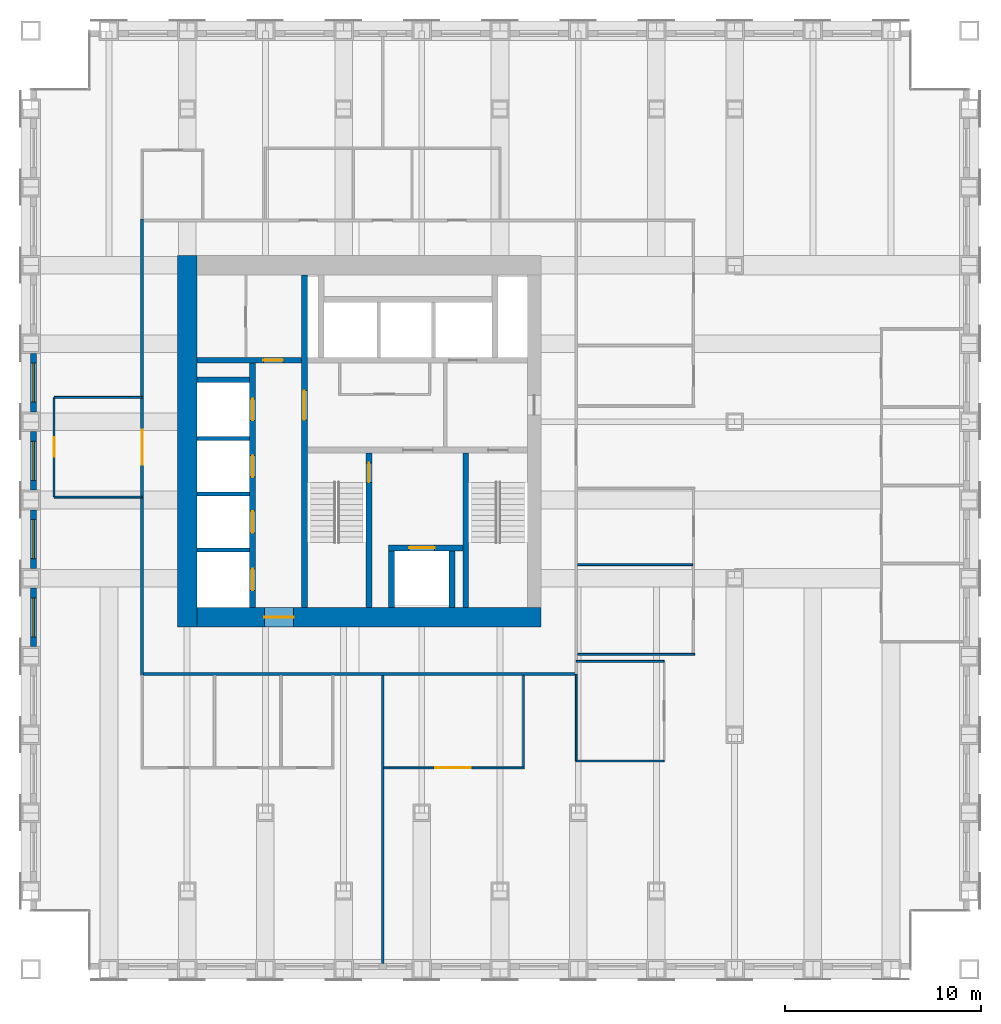
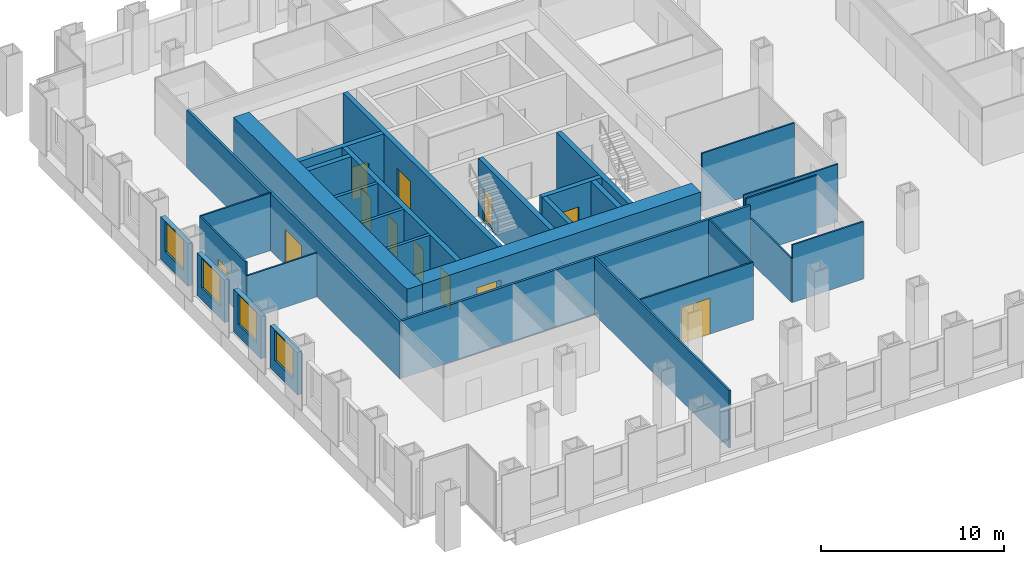
# One storey, part 11 of 16: 31 walls, 12 doors, 4 windows, 16 openings.
"""IFC4 building model written with IfcOpenShell, lengths in metres."""

from ifc_helpers import new_model, si_unit, direction, frame, frame_2d, origin, place, context, subcontext, project, spatial, rectangle, extrude, material, layer, layer_set, type_object, element, fill, save


model = new_model("IFC4")

# Units and contexts
model_context = context("Model", 3, precision=1e-05, world=origin(), true_north=direction((0.0, 1.0)))
body_context = subcontext(model_context, "Body", "Model", "MODEL_VIEW")
ifc_project = project(units=[si_unit("LENGTHUNIT", "METRE"), si_unit("AREAUNIT", "SQUARE_METRE"), si_unit("VOLUMEUNIT", "CUBIC_METRE"), si_unit("PLANEANGLEUNIT", "RADIAN"), si_unit("MASSUNIT", "GRAM", prefix="KILO")], contexts=[model_context])

# Site, building, storey
site_placement = place(None, origin())
site = spatial("IfcSite", under=ifc_project, at=site_placement, CompositionType="ELEMENT")
building_placement = place(site_placement, origin())
building = spatial("IfcBuilding", under=site, at=building_placement, Name="Rimbunsela Tower", CompositionType="ELEMENT")
storey_placement = place(building_placement, frame((0.0, 0.0, 81.39990234375)))
storey = spatial("IfcBuildingStorey", under=building, at=storey_placement, Name="L19", CompositionType="ELEMENT", Elevation=81.39990234375)

# Wall, opening, door
ifc_material_1 = material(Name="Concrete fc' 80 MPa", Category="concrete")
ifc_layer_1 = layer(ifc_material_1, 0.300048828125)
ifc_layer_set_1 = layer_set([ifc_layer_1], Name="Core internal wall 300")
wall_type_1 = type_object("IfcWallType", Name="Core internal wall 300", PredefinedType="SHEAR", material=ifc_layer_set_1)
wall_1_placement = place(storey_placement, frame((24.0, 18.5, -0.14990234375), z_axis=(0.0, 0.0, 1.0), x_axis=(0.0, 1.0, 0.0)))
wall_1 = element("IfcWall", 1, at=wall_1_placement, inside=storey, type_object=wall_type_1, Name="Core wall at stair A", PredefinedType="SHEAR", context=body_context, shape_type="SweptSolid", body=[
    extrude(rectangle(XDim=17.0, YDim=0.300048828125, at=frame_2d((8.5, 0.0))), origin(), (0.0, 0.0, 1.0), 4.0),
])
opening_1_placement = place(wall_1_placement, frame((9.60009765625, 0.0, 0.14990234375)))
opening_1 = element("IfcOpeningElement", 2, at=opening_1_placement, cuts=wall_1, Name="Opening D03", PredefinedType="OPENING", context=body_context, shape_type="SweptSolid", body=[
    extrude(rectangle(XDim=1.5, YDim=2.39990234375, at=frame_2d((0.75, 1.199951171875))), frame((0.0, 0.159912109375, 0.0), z_axis=(0.0, -1.0, 0.0), x_axis=(1.0, 0.0, 0.0)), (0.0, 0.0, 1.0), 0.320068359375),
])
ifc_material_2 = material(Name="Steel door, fire rated", Category="steel")
door_type_1 = type_object("IfcDoorType", Name="Core lobby door 1500", OperationType="DOUBLE_DOOR_DOUBLE_SWING", PredefinedType="DOOR", material=ifc_material_2)
door_1_placement = place(opening_1_placement, origin())
door_1 = element("IfcDoor", 3, at=door_1_placement, inside=storey, type_object=door_type_1, Name="West lobby door", OperationType="DOUBLE_DOOR_DOUBLE_SWING", OverallHeight=2.39990234375, OverallWidth=1.5, PredefinedType="DOOR", context=body_context, shape_type="SweptSolid", body=[
    extrude(rectangle(XDim=1.5, YDim=2.39990234375, at=frame_2d((0.75, 1.199951171875))), frame((0.0, 0.02490234375, 0.0), z_axis=(0.0, -1.0, 0.0), x_axis=(1.0, 0.0, 0.0)), (0.0, 0.0, 1.0), 0.050048828125),
])
fill(opening_1, door_1)

wall_2_placement = place(storey_placement, frame((27.300048828125, 18.5, -0.14990234375), z_axis=(0.0, 0.0, 1.0), x_axis=(0.0, 1.0, 0.0)))
wall_2 = element("IfcWall", 4, at=wall_2_placement, inside=storey, type_object=wall_type_1, Name="Stair A enclosure", PredefinedType="SHEAR", context=body_context, shape_type="SweptSolid", body=[
    extrude(rectangle(XDim=7.89990234375, YDim=0.300048828125, at=frame_2d((3.949951171875, 0.0))), origin(), (0.0, 0.0, 1.0), 4.0),
])
opening_2_placement = place(wall_2_placement, frame((6.39990234375, 0.0, 0.14990234375)))
opening_2 = element("IfcOpeningElement", 5, at=opening_2_placement, cuts=wall_2, Name="Opening D01", PredefinedType="OPENING", context=body_context, shape_type="SweptSolid", body=[
    extrude(rectangle(XDim=1.0, YDim=2.199951171875, at=frame_2d((0.5, 1.10009765625))), frame((0.0, 0.159912109375, 0.0), z_axis=(0.0, -1.0, 0.0), x_axis=(1.0, 0.0, 0.0)), (0.0, 0.0, 1.0), 0.320068359375),
])
ifc_material_3 = material(Name="Steel door, fire rated", Category="steel")
door_type_2 = type_object("IfcDoorType", Name="Stair door 1000", OperationType="SINGLE_SWING_RIGHT", PredefinedType="DOOR", material=ifc_material_3)
door_2_placement = place(opening_2_placement, origin())
door_2 = element("IfcDoor", 6, at=door_2_placement, inside=storey, type_object=door_type_2, Name="Stair A door", OperationType="SINGLE_SWING_RIGHT", OverallHeight=2.199951171875, OverallWidth=1.0, PredefinedType="DOOR", context=body_context, shape_type="SweptSolid", body=[
    extrude(rectangle(XDim=1.0, YDim=2.199951171875, at=frame_2d((0.5, 1.10009765625))), frame((0.0, 0.02490234375, 0.0), z_axis=(0.0, -1.0, 0.0), x_axis=(1.0, 0.0, 0.0)), (0.0, 0.0, 1.0), 0.050048828125),
])
fill(opening_2, door_2)

# Walls
wall_3_placement = place(storey_placement, frame((32.25, 18.5, -0.14990234375), z_axis=(0.0, 0.0, 1.0), x_axis=(0.0, 1.0, 0.0)))
element("IfcWall", 7, at=wall_3_placement, inside=storey, type_object=wall_type_1, Name="Stair B enclosure", PredefinedType="SHEAR", context=body_context, shape_type="SweptSolid", body=[
    extrude(rectangle(XDim=7.89990234375, YDim=0.300048828125, at=frame_2d((3.949951171875, 0.0))), origin(), (0.0, 0.0, 1.0), 4.0),
])
for number, where, z_axis, x_axis, name in (
    (8, (28.449951171875, 18.5, -0.14990234375), (0.0, 0.0, 1.0), (0.0, 1.0, 0.0), "Firefighting lift shaft west"),
    (9, (31.550048828125, 18.5, -0.14990234375), (0.0, 0.0, 1.0), (0.0, 1.0, 0.0), "Firefighting lift shaft east"),
):
    element("IfcWall", number, at=place(storey_placement, frame(where, z_axis=z_axis, x_axis=x_axis)), inside=storey, type_object=wall_type_1, Name=name, PredefinedType="SHEAR", context=body_context, shape_type="SweptSolid", body=[
        extrude(rectangle(XDim=2.89990234375, YDim=0.300048828125, at=frame_2d((1.449951171875, 0.0))), origin(), (0.0, 0.0, 1.0), 4.0),
    ])

# Wall, opening, door
wall_4_placement = place(storey_placement, frame((28.300048828125, 21.550048828125, -0.14990234375), z_axis=(0.0, 0.0, 1.0), x_axis=(1.0, 0.0, 0.0)))
wall_4 = element("IfcWall", 10, at=wall_4_placement, inside=storey, type_object=wall_type_1, Name="Firefighting lift shaft front", PredefinedType="SHEAR", context=body_context, shape_type="SweptSolid", body=[
    extrude(rectangle(XDim=3.800048828125, YDim=0.300048828125, at=frame_2d((1.89990234375, 0.0))), origin(), (0.0, 0.0, 1.0), 4.0),
])
opening_3_placement = place(wall_4_placement, frame((1.050048828125, 0.0, 0.14990234375)))
opening_3 = element("IfcOpeningElement", 11, at=opening_3_placement, cuts=wall_4, Name="Opening LD2", PredefinedType="OPENING", context=body_context, shape_type="SweptSolid", body=[
    extrude(rectangle(XDim=1.300048828125, YDim=2.39990234375, at=frame_2d((0.64990234375, 1.199951171875))), frame((0.0, 0.159912109375, 0.0), z_axis=(0.0, -1.0, 0.0), x_axis=(1.0, 0.0, 0.0)), (0.0, 0.0, 1.0), 0.320068359375),
])
ifc_material_4 = material(Name="Steel door, fire rated", Category="steel")
door_type_3 = type_object("IfcDoorType", Name="Lift landing door 1300", OperationType="DOUBLE_DOOR_SLIDING", PredefinedType="DOOR", material=ifc_material_4)
door_3_placement = place(opening_3_placement, origin())
door_3 = element("IfcDoor", 12, at=door_3_placement, inside=storey, type_object=door_type_3, Name="Lift landing door FL1", OperationType="DOUBLE_DOOR_SLIDING", OverallHeight=2.39990234375, OverallWidth=1.300048828125, PredefinedType="DOOR", context=body_context, shape_type="SweptSolid", body=[
    extrude(rectangle(XDim=1.300048828125, YDim=2.39990234375, at=frame_2d((0.64990234375, 1.199951171875))), frame((0.0, 0.02490234375, 0.0), z_axis=(0.0, -1.0, 0.0), x_axis=(1.0, 0.0, 0.0)), (0.0, 0.0, 1.0), 0.050048828125),
])
fill(opening_3, door_3)

# Wall, openings, doors
wall_5_placement = place(storey_placement, frame((21.35009765625, 18.5, -0.14990234375), z_axis=(0.0, 0.0, 1.0), x_axis=(0.0, 1.0, 0.0)))
wall_5 = element("IfcWall", 13, at=wall_5_placement, inside=storey, type_object=wall_type_1, Name="Lift shaft front west", PredefinedType="SHEAR", context=body_context, shape_type="SweptSolid", body=[
    extrude(rectangle(XDim=12.5, YDim=0.300048828125, at=frame_2d((6.25, 0.0))), origin(), (0.0, 0.0, 1.0), 4.0),
])
opening_4_placement = place(wall_5_placement, frame((0.875, 0.0, 0.14990234375)))
opening_4 = element("IfcOpeningElement", 14, at=opening_4_placement, cuts=wall_5, Name="Opening LD1", PredefinedType="OPENING", context=body_context, shape_type="SweptSolid", body=[
    extrude(rectangle(XDim=1.10009765625, YDim=2.199951171875, at=frame_2d((0.550048828125, 1.10009765625))), frame((0.0, 0.159912109375, 0.0), z_axis=(0.0, -1.0, 0.0), x_axis=(1.0, 0.0, 0.0)), (0.0, 0.0, 1.0), 0.320068359375),
])
opening_5_placement = place(wall_5_placement, frame((3.824951171875, 0.0, 0.14990234375)))
opening_5 = element("IfcOpeningElement", 15, at=opening_5_placement, cuts=wall_5, Name="Opening LD1", PredefinedType="OPENING", context=body_context, shape_type="SweptSolid", body=[
    extrude(rectangle(XDim=1.10009765625, YDim=2.199951171875, at=frame_2d((0.550048828125, 1.10009765625))), frame((0.0, 0.159912109375, 0.0), z_axis=(0.0, -1.0, 0.0), x_axis=(1.0, 0.0, 0.0)), (0.0, 0.0, 1.0), 0.320068359375),
])
opening_6_placement = place(wall_5_placement, frame((6.675048828125, 0.0, 0.14990234375)))
opening_6 = element("IfcOpeningElement", 16, at=opening_6_placement, cuts=wall_5, Name="Opening LD1", PredefinedType="OPENING", context=body_context, shape_type="SweptSolid", body=[
    extrude(rectangle(XDim=1.10009765625, YDim=2.199951171875, at=frame_2d((0.550048828125, 1.10009765625))), frame((0.0, 0.159912109375, 0.0), z_axis=(0.0, -1.0, 0.0), x_axis=(1.0, 0.0, 0.0)), (0.0, 0.0, 1.0), 0.320068359375),
])
opening_7_placement = place(wall_5_placement, frame((9.574951171875, 0.0, 0.14990234375)))
opening_7 = element("IfcOpeningElement", 17, at=opening_7_placement, cuts=wall_5, Name="Opening LD1", PredefinedType="OPENING", context=body_context, shape_type="SweptSolid", body=[
    extrude(rectangle(XDim=1.10009765625, YDim=2.199951171875, at=frame_2d((0.550048828125, 1.10009765625))), frame((0.0, 0.159912109375, 0.0), z_axis=(0.0, -1.0, 0.0), x_axis=(1.0, 0.0, 0.0)), (0.0, 0.0, 1.0), 0.320068359375),
])
ifc_material_5 = material(Name="Steel door, fire rated", Category="steel")
door_type_4 = type_object("IfcDoorType", Name="Lift landing door 1100", OperationType="DOUBLE_DOOR_SLIDING", PredefinedType="DOOR", material=ifc_material_5)
door_4_placement = place(opening_4_placement, origin())
door_4 = element("IfcDoor", 18, at=door_4_placement, inside=storey, type_object=door_type_4, Name="Lift landing door ML1", OperationType="DOUBLE_DOOR_SLIDING", OverallHeight=2.199951171875, OverallWidth=1.10009765625, PredefinedType="DOOR", context=body_context, shape_type="SweptSolid", body=[
    extrude(rectangle(XDim=1.10009765625, YDim=2.199951171875, at=frame_2d((0.550048828125, 1.10009765625))), frame((0.0, 0.02490234375, 0.0), z_axis=(0.0, -1.0, 0.0), x_axis=(1.0, 0.0, 0.0)), (0.0, 0.0, 1.0), 0.050048828125),
])
fill(opening_4, door_4)
door_5_placement = place(opening_5_placement, origin())
door_5 = element("IfcDoor", 19, at=door_5_placement, inside=storey, type_object=door_type_4, Name="Lift landing door ML2", OperationType="DOUBLE_DOOR_SLIDING", OverallHeight=2.199951171875, OverallWidth=1.10009765625, PredefinedType="DOOR", context=body_context, shape_type="SweptSolid", body=[
    extrude(rectangle(XDim=1.10009765625, YDim=2.199951171875, at=frame_2d((0.550048828125, 1.10009765625))), frame((0.0, 0.02490234375, 0.0), z_axis=(0.0, -1.0, 0.0), x_axis=(1.0, 0.0, 0.0)), (0.0, 0.0, 1.0), 0.050048828125),
])
fill(opening_5, door_5)
door_6_placement = place(opening_6_placement, origin())
door_6 = element("IfcDoor", 20, at=door_6_placement, inside=storey, type_object=door_type_4, Name="Lift landing door ML3", OperationType="DOUBLE_DOOR_SLIDING", OverallHeight=2.199951171875, OverallWidth=1.10009765625, PredefinedType="DOOR", context=body_context, shape_type="SweptSolid", body=[
    extrude(rectangle(XDim=1.10009765625, YDim=2.199951171875, at=frame_2d((0.550048828125, 1.10009765625))), frame((0.0, 0.02490234375, 0.0), z_axis=(0.0, -1.0, 0.0), x_axis=(1.0, 0.0, 0.0)), (0.0, 0.0, 1.0), 0.050048828125),
])
fill(opening_6, door_6)
door_7_placement = place(opening_7_placement, origin())
door_7 = element("IfcDoor", 21, at=door_7_placement, inside=storey, type_object=door_type_4, Name="Lift landing door ML4", OperationType="DOUBLE_DOOR_SLIDING", OverallHeight=2.199951171875, OverallWidth=1.10009765625, PredefinedType="DOOR", context=body_context, shape_type="SweptSolid", body=[
    extrude(rectangle(XDim=1.10009765625, YDim=2.199951171875, at=frame_2d((0.550048828125, 1.10009765625))), frame((0.0, 0.02490234375, 0.0), z_axis=(0.0, -1.0, 0.0), x_axis=(1.0, 0.0, 0.0)), (0.0, 0.0, 1.0), 0.050048828125),
])
fill(opening_7, door_7)

# Wall, opening, door
wall_6_placement = place(storey_placement, frame((18.5, 31.14990234375, -0.14990234375), z_axis=(0.0, 0.0, 1.0), x_axis=(1.0, 0.0, 0.0)))
wall_6 = element("IfcWall", 22, at=wall_6_placement, inside=storey, type_object=wall_type_1, Name="Store wall", PredefinedType="SHEAR", context=body_context, shape_type="SweptSolid", body=[
    extrude(rectangle(XDim=5.35009765625, YDim=0.300048828125, at=frame_2d((2.675048828125, 0.0))), origin(), (0.0, 0.0, 1.0), 4.0),
])
opening_8_placement = place(wall_6_placement, frame((3.39990234375, 0.0, 0.14990234375)))
opening_8 = element("IfcOpeningElement", 23, at=opening_8_placement, cuts=wall_6, Name="Opening D19", PredefinedType="OPENING", context=body_context, shape_type="SweptSolid", body=[
    extrude(rectangle(XDim=1.0, YDim=2.199951171875, at=frame_2d((0.5, 1.10009765625))), frame((0.0, 0.159912109375, 0.0), z_axis=(0.0, -1.0, 0.0), x_axis=(1.0, 0.0, 0.0)), (0.0, 0.0, 1.0), 0.320068359375),
])
ifc_material_6 = material(Name="Steel door, fire rated", Category="steel")
door_type_5 = type_object("IfcDoorType", Name="Service door 1000 fire rated", OperationType="SINGLE_SWING_LEFT", PredefinedType="DOOR", material=ifc_material_6)
door_8_placement = place(opening_8_placement, origin())
door_8 = element("IfcDoor", 24, at=door_8_placement, inside=storey, type_object=door_type_5, Name="Facilities store door", OperationType="SINGLE_SWING_LEFT", OverallHeight=2.199951171875, OverallWidth=1.0, PredefinedType="DOOR", context=body_context, shape_type="SweptSolid", body=[
    extrude(rectangle(XDim=1.0, YDim=2.199951171875, at=frame_2d((0.5, 1.10009765625))), frame((0.0, 0.02490234375, 0.0), z_axis=(0.0, -1.0, 0.0), x_axis=(1.0, 0.0, 0.0)), (0.0, 0.0, 1.0), 0.050048828125),
])
fill(opening_8, door_8)

# Walls
wall_7_placement = place(storey_placement, frame((18.5, 30.14990234375, -0.14990234375), z_axis=(0.0, 0.0, 1.0), x_axis=(1.0, 0.0, 0.0)))
element("IfcWall", 25, at=wall_7_placement, inside=storey, type_object=wall_type_1, Name="Lift shaft rear west", PredefinedType="SHEAR", context=body_context, shape_type="SweptSolid", body=[
    extrude(rectangle(XDim=2.699951171875, YDim=0.300048828125, at=frame_2d((1.35009765625, 0.0))), origin(), (0.0, 0.0, 1.0), 4.0),
])
ifc_material_7 = material(Name="Concrete fc' 80 MPa", Category="concrete")
ifc_layer_2 = layer(ifc_material_7, 1.0)
ifc_layer_set_2 = layer_set([ifc_layer_2], Name="Core wall 1000")
wall_type_2 = type_object("IfcWallType", Name="Core wall 1000", PredefinedType="SHEAR", material=ifc_layer_set_2)
wall_8_placement = place(storey_placement, frame((18.0, 17.5, -0.14990234375), z_axis=(0.0, 0.0, 1.0), x_axis=(0.0, 1.0, 0.0)))
element("IfcWall", 26, at=wall_8_placement, inside=storey, type_object=wall_type_2, Name="Core wall west", PredefinedType="SHEAR", context=body_context, shape_type="SweptSolid", body=[
    extrude(rectangle(XDim=19.0, YDim=1.0, at=frame_2d((9.5, 0.0))), origin(), (0.0, 0.0, 1.0), 4.0),
])

# Wall, opening, door
wall_9_placement = place(storey_placement, frame((18.5, 18.0, -0.14990234375), z_axis=(0.0, 0.0, 1.0), x_axis=(1.0, 0.0, 0.0)))
wall_9 = element("IfcWall", 27, at=wall_9_placement, inside=storey, type_object=wall_type_2, Name="Core wall south", PredefinedType="SHEAR", context=body_context, shape_type="SweptSolid", body=[
    extrude(rectangle(XDim=17.60009765625, YDim=1.0, at=frame_2d((8.800048828125, 0.0))), origin(), (0.0, 0.0, 1.0), 4.0),
])
opening_9_placement = place(wall_9_placement, frame((3.449951171875, 0.0, 0.14990234375)))
opening_9 = element("IfcOpeningElement", 28, at=opening_9_placement, cuts=wall_9, Name="Opening D03", PredefinedType="OPENING", context=body_context, shape_type="SweptSolid", body=[
    extrude(rectangle(XDim=1.5, YDim=2.39990234375, at=frame_2d((0.75, 1.199951171875))), frame((0.0, 0.510009765625, 0.0), z_axis=(0.0, -1.0, 0.0), x_axis=(1.0, 0.0, 0.0)), (0.0, 0.0, 1.0), 1.02001953125),
])
door_9_placement = place(opening_9_placement, origin())
door_9 = element("IfcDoor", 29, at=door_9_placement, inside=storey, type_object=door_type_1, Name="Core door south", OperationType="DOUBLE_DOOR_DOUBLE_SWING", OverallHeight=2.39990234375, OverallWidth=1.5, PredefinedType="DOOR", context=body_context, shape_type="SweptSolid", body=[
    extrude(rectangle(XDim=1.5, YDim=2.39990234375, at=frame_2d((0.75, 1.199951171875))), frame((0.0, 0.02490234375, 0.0), z_axis=(0.0, -1.0, 0.0), x_axis=(1.0, 0.0, 0.0)), (0.0, 0.0, 1.0), 0.050048828125),
])
fill(opening_9, door_9)

# Walls
ifc_material_8 = material(Name="Concrete blockwork", Category="masonry")
ifc_layer_3 = layer(ifc_material_8, 0.199951171875)
ifc_layer_set_3 = layer_set([ifc_layer_3], Name="Lift shaft wall 200")
wall_type_3 = type_object("IfcWallType", Name="Lift shaft wall 200", PredefinedType="SOLIDWALL", material=ifc_layer_set_3)
for number, where, z_axis, x_axis, name in (
    (30, (18.5, 21.449951171875, -0.14990234375), (0.0, 0.0, 1.0), (1.0, 0.0, 0.0), "Lift shaft separation"),
    (31, (18.5, 24.300048828125, -0.14990234375), (0.0, 0.0, 1.0), (1.0, 0.0, 0.0), "Lift shaft separation"),
    (32, (18.5, 27.14990234375, -0.14990234375), (0.0, 0.0, 1.0), (1.0, 0.0, 0.0), "Lift shaft separation"),
):
    element("IfcWall", number, at=place(storey_placement, frame(where, z_axis=z_axis, x_axis=x_axis)), inside=storey, type_object=wall_type_3, Name=name, PredefinedType="SOLIDWALL", context=body_context, shape_type="SweptSolid", body=[
        extrude(rectangle(XDim=2.699951171875, YDim=0.199951171875, at=frame_2d((1.35009765625, 0.0))), origin(), (0.0, 0.0, 1.0), 4.0),
    ])

# Wall, opening, door
ifc_material_9 = material(Name="Gypsum board on steel studs", Category="steel")
ifc_layer_4 = layer(ifc_material_9, 0.10009765625)
ifc_layer_set_4 = layer_set([ifc_layer_4], Name="Office partition 100")
wall_type_4 = type_object("IfcWallType", Name="Office partition 100", PredefinedType="PARTITIONING", material=ifc_layer_set_4)
wall_10_placement = place(storey_placement, frame((28.06103515625, 10.300048828125, 0.0), z_axis=(0.0, 0.0, 1.0), x_axis=(1.0, 0.0, 0.0)))
wall_10 = element("IfcWall", 33, at=wall_10_placement, inside=storey, type_object=wall_type_4, Name="Office partition", PredefinedType="PARTITIONING", context=body_context, shape_type="SweptSolid", body=[
    extrude(rectangle(XDim=7.18994140625, YDim=0.10009765625, at=frame_2d((3.594970703125, 0.0))), origin(), (0.0, 0.0, 1.0), 3.85009765625),
])
opening_10_placement = place(wall_10_placement, frame((2.639892578125, 0.0, 0.0)))
opening_10 = element("IfcOpeningElement", 34, at=opening_10_placement, cuts=wall_10, Name="Opening D18", PredefinedType="OPENING", context=body_context, shape_type="SweptSolid", body=[
    extrude(rectangle(XDim=1.800048828125, YDim=2.39990234375, at=frame_2d((0.89990234375, 1.199951171875))), frame((0.0, 0.06005859375, 0.0), z_axis=(0.0, -1.0, 0.0), x_axis=(1.0, 0.0, 0.0)), (0.0, 0.0, 1.0), 0.1201171875),
])
ifc_material_10 = material(Name="Glazed aluminium door", Category="aluminium")
door_type_6 = type_object("IfcDoorType", Name="Boardroom door 1800 glazed", OperationType="DOUBLE_DOOR_DOUBLE_SWING", PredefinedType="DOOR", material=ifc_material_10)
door_10_placement = place(opening_10_placement, origin())
door_10 = element("IfcDoor", 35, at=door_10_placement, inside=storey, type_object=door_type_6, Name="Boardroom door", OperationType="DOUBLE_DOOR_DOUBLE_SWING", OverallHeight=2.39990234375, OverallWidth=1.800048828125, PredefinedType="DOOR", context=body_context, shape_type="SweptSolid", body=[
    extrude(rectangle(XDim=1.800048828125, YDim=2.39990234375, at=frame_2d((0.89990234375, 1.199951171875))), frame((0.0, 0.02490234375, 0.0), z_axis=(0.0, -1.0, 0.0), x_axis=(1.0, 0.0, 0.0)), (0.0, 0.0, 1.0), 0.050048828125),
])
fill(opening_10, door_10)

# Walls
wall_11_placement = place(storey_placement, frame((37.97509765625, 16.10009765625, 0.0), z_axis=(0.0, 0.0, 1.0), x_axis=(1.0, 0.0, 0.0)))
element("IfcWall", 36, at=wall_11_placement, inside=storey, type_object=wall_type_4, Name="Office partition", PredefinedType="PARTITIONING", context=body_context, shape_type="SweptSolid", body=[
    extrude(rectangle(XDim=5.974853515625, YDim=0.10009765625, at=frame_2d((2.9873046875, 0.0))), origin(), (0.0, 0.0, 1.0), 3.85009765625),
])
wall_12_placement = place(storey_placement, frame((37.97509765625, 20.699951171875, 0.0), z_axis=(0.0, 0.0, 1.0), x_axis=(1.0, 0.0, 0.0)))
element("IfcWall", 37, at=wall_12_placement, inside=storey, type_object=wall_type_4, Name="Office partition", PredefinedType="PARTITIONING", context=body_context, shape_type="SweptSolid", body=[
    extrude(rectangle(XDim=5.875, YDim=0.10009765625, at=frame_2d((2.9375, 0.0))), origin(), (0.0, 0.0, 1.0), 3.85009765625),
])
wall_13_placement = place(storey_placement, frame((35.200927734375, 10.35009765625, 0.0), z_axis=(0.0, 0.0, 1.0), x_axis=(0.0, 1.0, 0.0)))
element("IfcWall", 38, at=wall_13_placement, inside=storey, type_object=wall_type_4, Name="Office partition", PredefinedType="PARTITIONING", context=body_context, shape_type="SweptSolid", body=[
    extrude(rectangle(XDim=4.6748046875, YDim=0.10009765625, at=frame_2d((2.33740234375, 0.0))), origin(), (0.0, 0.0, 1.0), 3.85009765625),
])
wall_14_placement = place(storey_placement, frame((15.699951171875, 29.25, 0.0), z_axis=(0.0, 0.0, 1.0), x_axis=(-1.0, 0.0, 0.0)))
element("IfcWall", 39, at=wall_14_placement, inside=storey, type_object=wall_type_4, Name="Office partition", PredefinedType="PARTITIONING", context=body_context, shape_type="SweptSolid", body=[
    extrude(rectangle(XDim=4.5, YDim=0.10009765625, at=frame_2d((2.25, 0.0))), origin(), (0.0, 0.0, 1.0), 3.85009765625),
])

# Wall, opening, door
wall_15_placement = place(storey_placement, frame((11.199951171875, 29.25, 0.0), z_axis=(0.0, 0.0, 1.0), x_axis=(0.0, -1.0, 0.0)))
wall_15 = element("IfcWall", 40, at=wall_15_placement, inside=storey, type_object=wall_type_4, Name="Office partition", PredefinedType="PARTITIONING", context=body_context, shape_type="SweptSolid", body=[
    extrude(rectangle(XDim=5.10009765625, YDim=0.10009765625, at=frame_2d((2.550048828125, 0.0))), origin(), (0.0, 0.0, 1.0), 3.85009765625),
])
opening_11_placement = place(wall_15_placement, frame((2.050048828125, 0.0, 0.0)))
opening_11 = element("IfcOpeningElement", 41, at=opening_11_placement, cuts=wall_15, Name="Opening D17", PredefinedType="OPENING", context=body_context, shape_type="SweptSolid", body=[
    extrude(rectangle(XDim=1.0, YDim=2.199951171875, at=frame_2d((0.5, 1.10009765625))), frame((0.0, 0.06005859375, 0.0), z_axis=(0.0, -1.0, 0.0), x_axis=(1.0, 0.0, 0.0)), (0.0, 0.0, 1.0), 0.1201171875),
])
ifc_material_11 = material(Name="Glazed aluminium door", Category="aluminium")
door_type_7 = type_object("IfcDoorType", Name="Meeting room door 1000 glazed", OperationType="SINGLE_SWING_RIGHT", PredefinedType="DOOR", material=ifc_material_11)
door_11_placement = place(opening_11_placement, origin())
door_11 = element("IfcDoor", 42, at=door_11_placement, inside=storey, type_object=door_type_7, Name="Reception door", OperationType="SINGLE_SWING_RIGHT", OverallHeight=2.199951171875, OverallWidth=1.0, PredefinedType="DOOR", context=body_context, shape_type="SweptSolid", body=[
    extrude(rectangle(XDim=1.0, YDim=2.199951171875, at=frame_2d((0.5, 1.10009765625))), frame((0.0, 0.02490234375, 0.0), z_axis=(0.0, -1.0, 0.0), x_axis=(1.0, 0.0, 0.0)), (0.0, 0.0, 1.0), 0.050048828125),
])
fill(opening_11, door_11)

# Walls
wall_16_placement = place(storey_placement, frame((11.199951171875, 24.14990234375, 0.0), z_axis=(0.0, 0.0, 1.0), x_axis=(1.0, 0.0, 0.0)))
element("IfcWall", 43, at=wall_16_placement, inside=storey, type_object=wall_type_4, Name="Office partition", PredefinedType="PARTITIONING", context=body_context, shape_type="SweptSolid", body=[
    extrude(rectangle(XDim=4.5, YDim=0.10009765625, at=frame_2d((2.25, 0.0))), origin(), (0.0, 0.0, 1.0), 2.9501953125),
])
wall_17_placement = place(storey_placement, frame((37.89990234375, 15.10009765625, 0.0), z_axis=(0.0, 0.0, 1.0), x_axis=(0.0, -1.0, 0.0)))
element("IfcWall", 44, at=wall_17_placement, inside=storey, type_object=wall_type_4, Name="Office partition", PredefinedType="PARTITIONING", context=body_context, shape_type="SweptSolid", body=[
    extrude(rectangle(XDim=4.4501953125, YDim=0.10009765625, at=frame_2d((2.22509765625, 0.0))), origin(), (0.0, 0.0, 1.0), 2.9501953125),
])
for number, where, z_axis, x_axis, name in (
    (45, (37.89990234375, 10.64990234375, 0.0), (0.0, 0.0, 1.0), (1.0, 0.0, 0.0), "Office partition"),
    (46, (42.39990234375, 15.75, 0.0), (0.0, 0.0, 1.0), (-1.0, 0.0, 0.0), "Office partition"),
):
    element("IfcWall", number, at=place(storey_placement, frame(where, z_axis=z_axis, x_axis=x_axis)), inside=storey, type_object=wall_type_4, Name=name, PredefinedType="PARTITIONING", context=body_context, shape_type="SweptSolid", body=[
        extrude(rectangle(XDim=4.5, YDim=0.10009765625, at=frame_2d((2.25, 0.0))), origin(), (0.0, 0.0, 1.0), 3.85009765625),
    ])

# Wall, opening, window
ifc_material_12 = material(Name="Precast concrete fc' 35 MPa", Category="concrete")
ifc_layer_5 = layer(ifc_material_12, 0.300048828125)
ifc_layer_set_5 = layer_set([ifc_layer_5], Name="Precast concrete fc' 35 MPa")
wall_type_5 = type_object("IfcWallType", Name="Precast facade panel 300", PredefinedType="ELEMENTEDWALL", material=ifc_layer_set_5)
wall_18_placement = place(storey_placement, frame((10.14990234375, 19.5, 0.0), z_axis=(0.0, 0.0, 1.0), x_axis=(0.0, -1.0, 0.0)))
wall_18 = element("IfcWall", 47, at=wall_18_placement, inside=storey, type_object=wall_type_5, Name="Facade panel W L19", PredefinedType="ELEMENTEDWALL", context=body_context, shape_type="SweptSolid", body=[
    extrude(rectangle(XDim=3.0, YDim=0.300048828125, at=frame_2d((1.5, 0.0))), origin(), (0.0, 0.0, 1.0), 2.85009765625),
])
opening_12_placement = place(wall_18_placement, frame((0.5, 0.0, 0.800048828125)))
opening_12 = element("IfcOpeningElement", 48, at=opening_12_placement, cuts=wall_18, Name="Opening W1", PredefinedType="OPENING", context=body_context, shape_type="SweptSolid", body=[
    extrude(rectangle(XDim=2.0, YDim=2.0, at=frame_2d((1.0, 1.0))), frame((0.0, 0.159912109375, 0.0), z_axis=(0.0, -1.0, 0.0), x_axis=(1.0, 0.0, 0.0)), (0.0, 0.0, 1.0), 0.320068359375),
])
ifc_material_13 = material(Name="Clear glass in aluminium frame", Category="aluminium")
window_type = type_object("IfcWindowType", Name="Window W1 2000x2000", PartitioningType="DOUBLE_PANEL_VERTICAL", PredefinedType="WINDOW", material=ifc_material_13)
window_1_placement = place(opening_12_placement, origin())
window_1 = element("IfcWindow", 49, at=window_1_placement, inside=storey, type_object=window_type, Name="Window L19", OverallHeight=2.0, OverallWidth=2.0, PartitioningType="SINGLE_PANEL", PredefinedType="WINDOW", context=body_context, shape_type="SweptSolid", body=[
    extrude(rectangle(XDim=2.0, YDim=2.0, at=frame_2d((1.0, 1.0))), frame((0.0, 0.030029296875, 0.0), z_axis=(0.0, -1.0, 0.0), x_axis=(1.0, 0.0, 0.0)), (0.0, 0.0, 1.0), 0.06005859375),
])
fill(opening_12, window_1)

wall_19_placement = place(storey_placement, frame((10.14990234375, 23.5, 0.0), z_axis=(0.0, 0.0, 1.0), x_axis=(0.0, -1.0, 0.0)))
wall_19 = element("IfcWall", 50, at=wall_19_placement, inside=storey, type_object=wall_type_5, Name="Facade panel W L19", PredefinedType="ELEMENTEDWALL", context=body_context, shape_type="SweptSolid", body=[
    extrude(rectangle(XDim=3.0, YDim=0.300048828125, at=frame_2d((1.5, 0.0))), origin(), (0.0, 0.0, 1.0), 2.85009765625),
])
opening_13_placement = place(wall_19_placement, frame((0.5, 0.0, 0.800048828125)))
opening_13 = element("IfcOpeningElement", 51, at=opening_13_placement, cuts=wall_19, Name="Opening W1", PredefinedType="OPENING", context=body_context, shape_type="SweptSolid", body=[
    extrude(rectangle(XDim=2.0, YDim=2.0, at=frame_2d((1.0, 1.0))), frame((0.0, 0.159912109375, 0.0), z_axis=(0.0, -1.0, 0.0), x_axis=(1.0, 0.0, 0.0)), (0.0, 0.0, 1.0), 0.320068359375),
])
window_2_placement = place(opening_13_placement, origin())
window_2 = element("IfcWindow", 52, at=window_2_placement, inside=storey, type_object=window_type, Name="Window L19", OverallHeight=2.0, OverallWidth=2.0, PartitioningType="SINGLE_PANEL", PredefinedType="WINDOW", context=body_context, shape_type="SweptSolid", body=[
    extrude(rectangle(XDim=2.0, YDim=2.0, at=frame_2d((1.0, 1.0))), frame((0.0, 0.030029296875, 0.0), z_axis=(0.0, -1.0, 0.0), x_axis=(1.0, 0.0, 0.0)), (0.0, 0.0, 1.0), 0.06005859375),
])
fill(opening_13, window_2)

wall_20_placement = place(storey_placement, frame((10.14990234375, 27.5, 0.0), z_axis=(0.0, 0.0, 1.0), x_axis=(0.0, -1.0, 0.0)))
wall_20 = element("IfcWall", 53, at=wall_20_placement, inside=storey, type_object=wall_type_5, Name="Facade panel W L19", PredefinedType="ELEMENTEDWALL", context=body_context, shape_type="SweptSolid", body=[
    extrude(rectangle(XDim=3.0, YDim=0.300048828125, at=frame_2d((1.5, 0.0))), origin(), (0.0, 0.0, 1.0), 2.85009765625),
])
opening_14_placement = place(wall_20_placement, frame((0.5, 0.0, 0.800048828125)))
opening_14 = element("IfcOpeningElement", 54, at=opening_14_placement, cuts=wall_20, Name="Opening W1", PredefinedType="OPENING", context=body_context, shape_type="SweptSolid", body=[
    extrude(rectangle(XDim=2.0, YDim=2.0, at=frame_2d((1.0, 1.0))), frame((0.0, 0.159912109375, 0.0), z_axis=(0.0, -1.0, 0.0), x_axis=(1.0, 0.0, 0.0)), (0.0, 0.0, 1.0), 0.320068359375),
])
window_3_placement = place(opening_14_placement, origin())
window_3 = element("IfcWindow", 55, at=window_3_placement, inside=storey, type_object=window_type, Name="Window L19", OverallHeight=2.0, OverallWidth=2.0, PartitioningType="SINGLE_PANEL", PredefinedType="WINDOW", context=body_context, shape_type="SweptSolid", body=[
    extrude(rectangle(XDim=2.0, YDim=2.0, at=frame_2d((1.0, 1.0))), frame((0.0, 0.030029296875, 0.0), z_axis=(0.0, -1.0, 0.0), x_axis=(1.0, 0.0, 0.0)), (0.0, 0.0, 1.0), 0.06005859375),
])
fill(opening_14, window_3)

wall_21_placement = place(storey_placement, frame((10.14990234375, 31.5, 0.0), z_axis=(0.0, 0.0, 1.0), x_axis=(0.0, -1.0, 0.0)))
wall_21 = element("IfcWall", 56, at=wall_21_placement, inside=storey, type_object=wall_type_5, Name="Facade panel W L19", PredefinedType="ELEMENTEDWALL", context=body_context, shape_type="SweptSolid", body=[
    extrude(rectangle(XDim=3.0, YDim=0.300048828125, at=frame_2d((1.5, 0.0))), origin(), (0.0, 0.0, 1.0), 2.85009765625),
])
opening_15_placement = place(wall_21_placement, frame((0.5, 0.0, 0.800048828125)))
opening_15 = element("IfcOpeningElement", 57, at=opening_15_placement, cuts=wall_21, Name="Opening W1", PredefinedType="OPENING", context=body_context, shape_type="SweptSolid", body=[
    extrude(rectangle(XDim=2.0, YDim=2.0, at=frame_2d((1.0, 1.0))), frame((0.0, 0.159912109375, 0.0), z_axis=(0.0, -1.0, 0.0), x_axis=(1.0, 0.0, 0.0)), (0.0, 0.0, 1.0), 0.320068359375),
])
window_4_placement = place(opening_15_placement, origin())
window_4 = element("IfcWindow", 58, at=window_4_placement, inside=storey, type_object=window_type, Name="Window L19", OverallHeight=2.0, OverallWidth=2.0, PartitioningType="SINGLE_PANEL", PredefinedType="WINDOW", context=body_context, shape_type="SweptSolid", body=[
    extrude(rectangle(XDim=2.0, YDim=2.0, at=frame_2d((1.0, 1.0))), frame((0.0, 0.030029296875, 0.0), z_axis=(0.0, -1.0, 0.0), x_axis=(1.0, 0.0, 0.0)), (0.0, 0.0, 1.0), 0.06005859375),
])
fill(opening_15, window_4)

# Wall, opening, door
ifc_material_14 = material(Name="Fire-rated gypsum board on steel studs, EI 60", Category="steel")
ifc_layer_6 = layer(ifc_material_14, 0.14990234375)
ifc_layer_set_6 = layer_set([ifc_layer_6], Name="Rated corridor wall 150")
wall_type_6 = type_object("IfcWallType", Name="Rated corridor wall 150", PredefinedType="PARTITIONING", material=ifc_layer_set_6)
wall_22_placement = place(storey_placement, frame((15.699951171875, 15.02490234375, 0.0), z_axis=(0.0, 0.0, 1.0), x_axis=(0.0, 1.0, 0.0)))
wall_22 = element("IfcWall", 59, at=wall_22_placement, inside=storey, type_object=wall_type_6, Name="Corridor wall west", PredefinedType="PARTITIONING", context=body_context, shape_type="SweptSolid", body=[
    extrude(rectangle(XDim=23.35009765625, YDim=0.14990234375, at=frame_2d((11.675048828125, 0.0))), origin(), (0.0, 0.0, 1.0), 3.85009765625),
])
opening_16_placement = place(wall_22_placement, frame((10.77490234375, 0.0, 0.0)))
opening_16 = element("IfcOpeningElement", 60, at=opening_16_placement, cuts=wall_22, Name="Opening D09", PredefinedType="OPENING", context=body_context, shape_type="SweptSolid", body=[
    extrude(rectangle(XDim=1.800048828125, YDim=2.39990234375, at=frame_2d((0.89990234375, 1.199951171875))), frame((0.0, 0.0849609375, 0.0), z_axis=(0.0, -1.0, 0.0), x_axis=(1.0, 0.0, 0.0)), (0.0, 0.0, 1.0), 0.169921875),
])
ifc_material_15 = material(Name="Glazed aluminium door, fire rated", Category="aluminium")
door_type_8 = type_object("IfcDoorType", Name="Tenancy door 1800 glazed", OperationType="DOUBLE_DOOR_DOUBLE_SWING", PredefinedType="DOOR", material=ifc_material_15)
door_12_placement = place(opening_16_placement, origin())
door_12 = element("IfcDoor", 61, at=door_12_placement, inside=storey, type_object=door_type_8, Name="Tenancy door", OperationType="DOUBLE_DOOR_DOUBLE_SWING", OverallHeight=2.39990234375, OverallWidth=1.800048828125, PredefinedType="DOOR", context=body_context, shape_type="SweptSolid", body=[
    extrude(rectangle(XDim=1.800048828125, YDim=2.39990234375, at=frame_2d((0.89990234375, 1.199951171875))), frame((0.0, 0.02490234375, 0.0), z_axis=(0.0, -1.0, 0.0), x_axis=(1.0, 0.0, 0.0)), (0.0, 0.0, 1.0), 0.050048828125),
])
fill(opening_16, door_12)

# Walls
wall_23_placement = place(storey_placement, frame((15.77490234375, 15.10009765625, 0.0), z_axis=(0.0, 0.0, 1.0), x_axis=(1.0, 0.0, 0.0)))
element("IfcWall", 62, at=wall_23_placement, inside=storey, type_object=wall_type_6, Name="Corridor wall south", PredefinedType="PARTITIONING", context=body_context, shape_type="SweptSolid", body=[
    extrude(rectangle(XDim=22.050048828125, YDim=0.14990234375, at=frame_2d((11.02490234375, 0.0))), origin(), (0.0, 0.0, 1.0), 3.85009765625),
])
ifc_material_16 = material(Name="Gypsum board on steel studs", Category="steel")
ifc_layer_7 = layer(ifc_material_16, 0.1201171875)
ifc_layer_set_7 = layer_set([ifc_layer_7], Name="Tenancy partition 120")
wall_type_7 = type_object("IfcWallType", Name="Tenancy partition 120", PredefinedType="PARTITIONING", material=ifc_layer_set_7)
wall_24_placement = place(storey_placement, frame((28.0, 0.300048828125, 0.0), z_axis=(0.0, 0.0, 1.0), x_axis=(0.0, 1.0, 0.0)))
element("IfcWall", 63, at=wall_24_placement, inside=storey, type_object=wall_type_7, Name="Tenancy partition south", PredefinedType="PARTITIONING", context=body_context, shape_type="SweptSolid", body=[
    extrude(rectangle(XDim=14.724853515625, YDim=0.1201171875, at=frame_2d((7.3623046875, 0.0))), origin(), (0.0, 0.0, 1.0), 3.85009765625),
])

save(model, "model.ifc")
